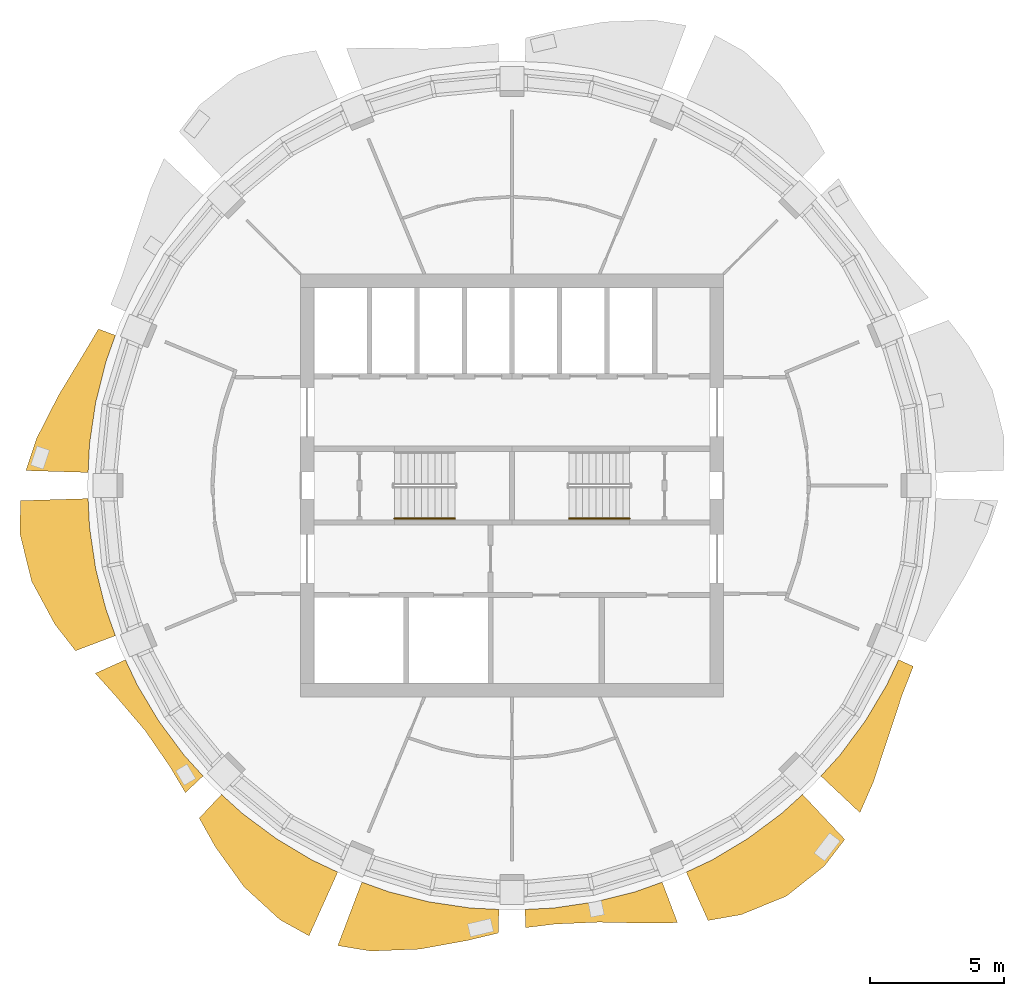
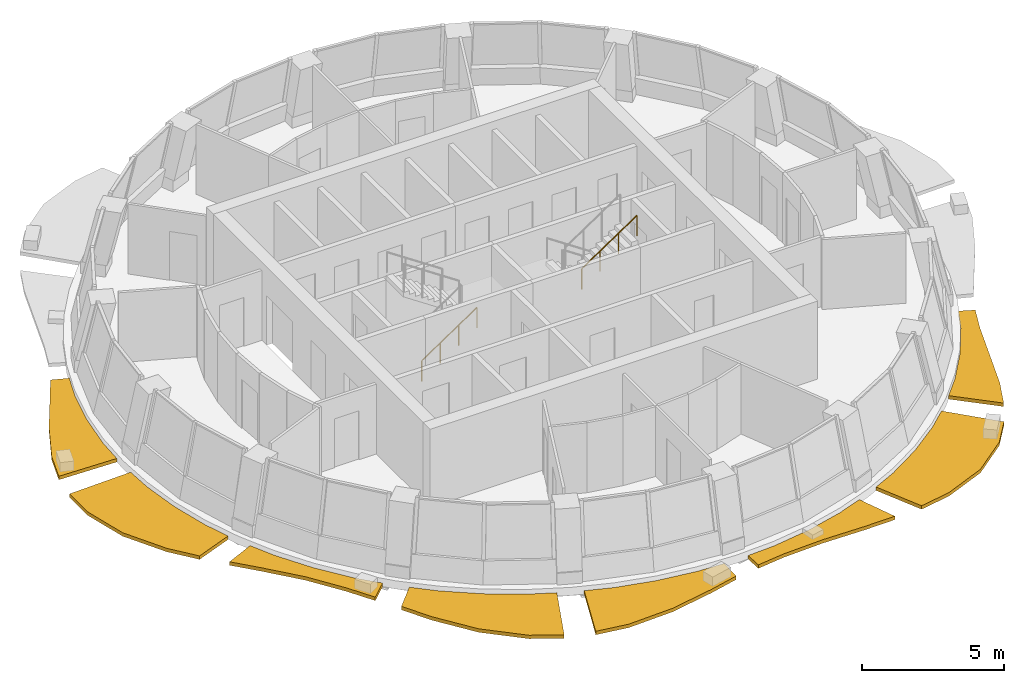
# One storey, part 8 of 11: 8 shading devices, 2 railings.
"""IFC4 building model written with IfcOpenShell, lengths in metres."""

from ifc_helpers import new_model, si_unit, direction, frame, origin, origin_2d, place, context, subcontext, project, spatial, polyline, circle, outline, extrude, material, type_object, element, save


model = new_model("IFC4")

# Units and contexts
model_context = context("Model", 3, precision=1e-05, world=origin(), true_north=direction((0.0, 1.0)))
body_context = subcontext(model_context, "Body", "Model", "MODEL_VIEW")
ifc_project = project(units=[si_unit("LENGTHUNIT", "METRE"), si_unit("AREAUNIT", "SQUARE_METRE"), si_unit("VOLUMEUNIT", "CUBIC_METRE"), si_unit("PLANEANGLEUNIT", "RADIAN"), si_unit("MASSUNIT", "GRAM", prefix="KILO")], contexts=[model_context])

# Site, building, storey
site_placement = place(None, origin())
site = spatial("IfcSite", under=ifc_project, at=site_placement, CompositionType="ELEMENT")
building_placement = place(site_placement, origin())
building = spatial("IfcBuilding", under=site, at=building_placement, Name="Polderwave Tower", CompositionType="ELEMENT")
storey_placement = place(building_placement, frame((0.0, 0.0, 224.5)))
storey = spatial("IfcBuildingStorey", under=building, at=storey_placement, Name="L61", CompositionType="ELEMENT", Elevation=224.5)

# Railings
ifc_material_1 = material(Name="Stainless steel", Category="steel")
railing_type = type_object("IfcRailingType", Name="Stair handrail 900", PredefinedType="HANDRAIL", material=ifc_material_1)
for number, where, name in (
    (1, (-4.3740234375, -1.22509765625, 0.16748046875), "L61 ST-A stair handrail 1"),
    (2, (2.1240234375, -1.22509765625, 1.842529296875), "L61 ST-B stair handrail 2"),
):
    element("IfcRailing", number, at=place(storey_placement, frame(where)), inside=storey, type_object=railing_type, Name=name, PredefinedType="HANDRAIL", context=body_context, shape_type="SweptSolid", body=[
        extrude(circle(Radius=0.02392578125, at=origin_2d()), frame((0.0, 0.0, 0.8759765625), z_axis=(0.830758306289, 0.0, 0.556633305266), x_axis=(0.0, 1.0, 0.0)), (0.0, 0.0, 1.0), 2.708251953125),
        extrude(circle(Radius=0.02099609375, at=origin_2d()), origin(), (0.0, 0.0, 1.0), 0.851806640625),
        extrude(circle(Radius=0.02099609375, at=origin_2d()), frame((0.75, 0.0, 0.50244140625)), (0.0, 0.0, 1.0), 0.851806640625),
        extrude(circle(Radius=0.02099609375, at=origin_2d()), frame((1.5, 0.0, 1.005126953125)), (0.0, 0.0, 1.0), 0.851806640625),
        extrude(circle(Radius=0.02099609375, at=origin_2d()), frame((2.25, 0.0, 1.507568359375)), (0.0, 0.0, 1.0), 0.851806640625),
    ])

# Shading devices
ifc_material_2 = material(Name="Terracotta", Category="masonry")
shading_device_type = type_object("IfcShadingDeviceType", Name="Terracotta sunshade band", PredefinedType="USERDEFINED", material=ifc_material_2)
shading_device_1_placement = place(storey_placement, frame((0.0, 0.0, -0.35009765625)))
element("IfcShadingDevice", 3, at=shading_device_1_placement, inside=storey, type_object=shading_device_type, Name="Sunshade band L61 8", ObjectType="SUNSHADE", PredefinedType="USERDEFINED", context=body_context, shape_type="SweptSolid", body=[
    extrude(outline(polyline([(-14.760986328125, 5.5888671875), (-15.11962890625, 4.58642578125), (-15.496337890625, 3.08251953125), (-15.723876953125, 1.548583984375), (-15.776123046875, 0.4853515625), (-18.091796875, 0.556640625), (-17.69873046875, 1.7431640625), (-16.876220703125, 3.35693359375), (-15.975341796875, 4.84619140625), (-15.389892578125, 5.826904296875), (-14.760986328125, 5.5888671875)])), origin(), (0.0, 0.0, 1.0), 0.150146484375),
])
shading_device_2_placement = place(storey_placement, frame((0.0, 0.0, -0.35009765625)))
element("IfcShadingDevice", 4, at=shading_device_2_placement, inside=storey, type_object=shading_device_type, Name="Sunshade band L61 9", ObjectType="SUNSHADE", PredefinedType="USERDEFINED", context=body_context, shape_type="SweptSolid", body=[
    extrude(outline(polyline([(-15.776123046875, -0.4853515625), (-15.723876953125, -1.548583984375), (-15.496337890625, -3.08251953125), (-15.11962890625, -4.58642578125), (-14.760986328125, -5.5888671875), (-16.244384765625, -6.150634765625), (-17.015380859375, -5.16162109375), (-17.880126953125, -3.556640625), (-18.311279296875, -1.803466796875), (-18.294921875, -0.562744140625), (-15.776123046875, -0.4853515625)])), origin(), (0.0, 0.0, 1.0), 0.150146484375),
])
shading_device_3_placement = place(storey_placement, frame((0.0, 0.0, -0.35009765625)))
element("IfcShadingDevice", 5, at=shading_device_3_placement, inside=storey, type_object=shading_device_type, Name="Sunshade band L61 10", ObjectType="SUNSHADE", PredefinedType="USERDEFINED", context=body_context, shape_type="SweptSolid", body=[
    extrude(outline(polyline([(-14.389404296875, -6.485595703125), (-13.934326171875, -7.447998046875), (-13.13720703125, -8.778076171875), (-12.213623046875, -10.0234375), (-11.49853515625, -10.812255859375), (-12.15625, -11.4306640625), (-12.73681640625, -10.452880859375), (-13.65185546875, -9.121826171875), (-14.720703125, -7.868408203125), (-15.5078125, -6.98974609375), (-14.389404296875, -6.485595703125)])), origin(), (0.0, 0.0, 1.0), 0.150146484375),
])
shading_device_4_placement = place(storey_placement, frame((0.0, 0.0, -0.35009765625)))
element("IfcShadingDevice", 6, at=shading_device_4_placement, inside=storey, type_object=shading_device_type, Name="Sunshade band L61 11", ObjectType="SUNSHADE", PredefinedType="USERDEFINED", context=body_context, shape_type="SweptSolid", body=[
    extrude(outline(polyline([(-10.812255859375, -11.49853515625), (-10.0234375, -12.213623046875), (-8.778076171875, -13.13720703125), (-7.447998046875, -13.934326171875), (-6.485595703125, -14.389404296875), (-7.553955078125, -16.759765625), (-8.63818359375, -16.160888671875), (-9.9765625, -14.930908203125), (-11.03955078125, -13.451904296875), (-11.639892578125, -12.37890625), (-10.812255859375, -11.49853515625)])), origin(), (0.0, 0.0, 1.0), 0.150146484375),
])
shading_device_5_placement = place(storey_placement, frame((0.0, 0.0, -0.35009765625)))
element("IfcShadingDevice", 7, at=shading_device_5_placement, inside=storey, type_object=shading_device_type, Name="Sunshade band L61 12", ObjectType="SUNSHADE", PredefinedType="USERDEFINED", context=body_context, shape_type="SweptSolid", body=[
    extrude(outline(polyline([(-5.5888671875, -14.760986328125), (-4.58642578125, -15.11962890625), (-3.08251953125, -15.496337890625), (-1.548583984375, -15.723876953125), (-0.4853515625, -15.776123046875), (-0.512451171875, -16.658935546875), (-1.667724609375, -16.93359375), (-3.432373046875, -17.255126953125), (-5.255859375, -17.326171875), (-6.48388671875, -17.125), (-5.5888671875, -14.760986328125)])), origin(), (0.0, 0.0, 1.0), 0.150146484375),
])
shading_device_6_placement = place(storey_placement, frame((0.0, 0.0, -0.35009765625)))
element("IfcShadingDevice", 8, at=shading_device_6_placement, inside=storey, type_object=shading_device_type, Name="Sunshade band L61 13", ObjectType="SUNSHADE", PredefinedType="USERDEFINED", context=body_context, shape_type="SweptSolid", body=[
    extrude(outline(polyline([(0.4853515625, -15.776123046875), (1.548583984375, -15.723876953125), (3.08251953125, -15.496337890625), (4.58642578125, -15.11962890625), (5.5888671875, -14.760986328125), (6.160400390625, -16.270263671875), (4.9404296875, -16.2861328125), (3.232666015625, -16.251220703125), (1.607421875, -16.321044921875), (0.50634765625, -16.455810546875), (0.4853515625, -15.776123046875)])), origin(), (0.0, 0.0, 1.0), 0.150146484375),
])
shading_device_7_placement = place(storey_placement, frame((0.0, 0.0, -0.35009765625)))
element("IfcShadingDevice", 9, at=shading_device_7_placement, inside=storey, type_object=shading_device_type, Name="Sunshade band L61 14", ObjectType="SUNSHADE", PredefinedType="USERDEFINED", context=body_context, shape_type="SweptSolid", body=[
    extrude(outline(polyline([(6.485595703125, -14.389404296875), (7.447998046875, -13.934326171875), (8.778076171875, -13.13720703125), (10.0234375, -12.213623046875), (10.812255859375, -11.49853515625), (12.385986328125, -13.17236328125), (11.6240234375, -14.1640625), (10.2119140625, -15.283447265625), (8.536376953125, -15.97021484375), (7.296630859375, -16.188720703125), (6.485595703125, -14.389404296875)])), origin(), (0.0, 0.0, 1.0), 0.150146484375),
])
shading_device_8_placement = place(storey_placement, frame((0.0, 0.0, -0.35009765625)))
element("IfcShadingDevice", 10, at=shading_device_8_placement, inside=storey, type_object=shading_device_type, Name="Sunshade band L61 15", ObjectType="SUNSHADE", PredefinedType="USERDEFINED", context=body_context, shape_type="SweptSolid", body=[
    extrude(outline(polyline([(11.49853515625, -10.812255859375), (12.213623046875, -10.0234375), (13.13720703125, -8.778076171875), (13.934326171875, -7.447998046875), (14.389404296875, -6.485595703125), (14.9365234375, -6.732421875), (14.530029296875, -7.7666015625), (14.00439453125, -9.357421875), (13.448974609375, -11.037109375), (12.94970703125, -12.1767578125), (11.49853515625, -10.812255859375)])), origin(), (0.0, 0.0, 1.0), 0.150146484375),
])

save(model, "model.ifc")
